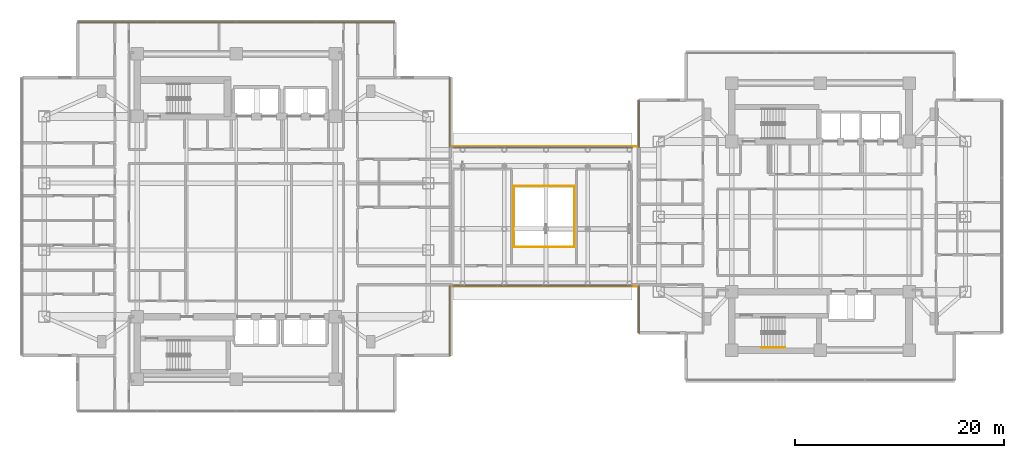
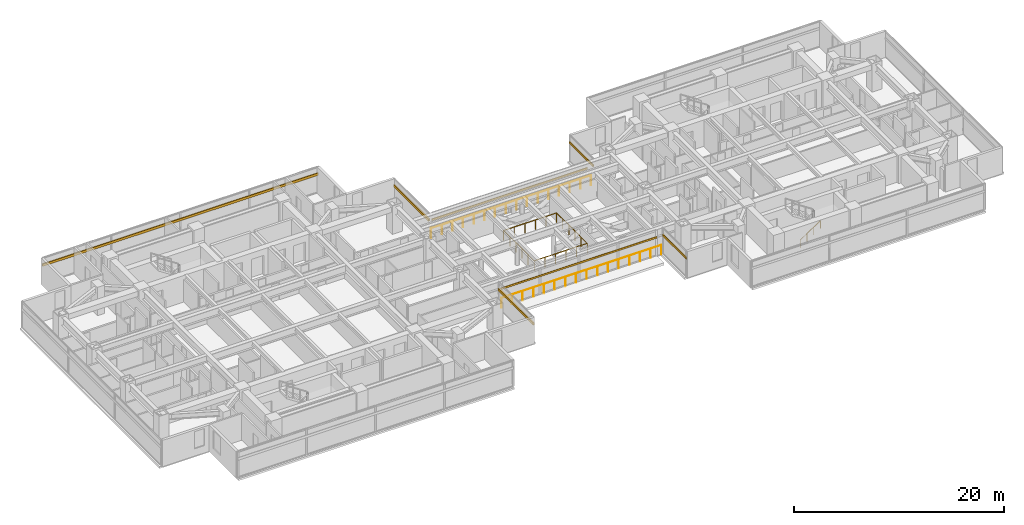
# One storey, part 25 of 28: 7 railings, 7 shading devices.
"""IFC4 building model written with IfcOpenShell, lengths in metres."""

from ifc_helpers import new_model, si_unit, direction, frame, origin, origin_2d, place, context, subcontext, project, spatial, rectangle, circle, extrude, material, material_profile, profile_set, type_object, element, save


model = new_model("IFC4")

# Units and contexts
model_context = context("Model", 3, precision=1e-05, world=origin(), true_north=direction((0.0, 1.0)))
body_context = subcontext(model_context, "Body", "Model", "MODEL_VIEW")
ifc_project = project(units=[si_unit("LENGTHUNIT", "METRE"), si_unit("AREAUNIT", "SQUARE_METRE"), si_unit("VOLUMEUNIT", "CUBIC_METRE"), si_unit("PLANEANGLEUNIT", "RADIAN"), si_unit("MASSUNIT", "GRAM", prefix="KILO")], contexts=[model_context])

# Site, building, storey
site_placement = place(None, origin())
site = spatial("IfcSite", under=ifc_project, at=site_placement, CompositionType="ELEMENT")
building_placement = place(site_placement, origin())
building = spatial("IfcBuilding", under=site, at=building_placement, Name="Mirazonda Arch Towers", CompositionType="ELEMENT")
storey_placement = place(building_placement, frame((0.0, 0.0, 91.699951171875)))
storey = spatial("IfcBuildingStorey", under=building, at=storey_placement, Name="L25", CompositionType="ELEMENT", Elevation=91.699951171875)

# Shading devices
ifc_material_1 = material(Name="Kiln-Fired Architectural Terracotta", Category="masonry")
ifc_material_profile_1 = material_profile(ifc_material_1, rectangle(XDim=0.1201171875, YDim=0.239990234375, at=origin_2d()), Name="TERRA-BAG-120x240")
ifc_profile_set_1 = profile_set([ifc_material_profile_1], Name="Kiln-Fired Architectural Terracotta")
shading_device_type_1 = type_object("IfcShadingDeviceType", Name="BAGUETTE-1", PredefinedType="USERDEFINED", material=ifc_profile_set_1)
for number, where, z_axis, x_axis, name in (
    (1, (59.119384765625, 39.16455078125, 2.203369140625), (0.0, -1.0, 0.0), (1.0, 0.0, 0.0), "L25 Glazed Terracotta Sun-Screen Baguette CW-L25-T2-W1"),
    (2, (59.119384765625, 21.360107421875, 2.203369140625), (0.0, -1.0, 0.0), (1.0, 0.0, 0.0), "L25 Glazed Terracotta Sun-Screen Baguette CW-L25-T2-W2"),
):
    element("IfcShadingDevice", number, at=place(storey_placement, frame(where, z_axis=z_axis, x_axis=x_axis)), inside=storey, type_object=shading_device_type_1, Name=name, ObjectType="BAGUETTE", PredefinedType="USERDEFINED", context=body_context, shape_type="SweptSolid", body=[
        extrude(rectangle(XDim=0.1201171875, YDim=0.239990234375, at=origin_2d()), origin(), (0.0, 0.0, 1.0), 4.524658203125),
    ])
ifc_material_profile_2 = material_profile(ifc_material_1, rectangle(XDim=0.10009765625, YDim=0.199951171875, at=origin_2d()), Name="TERRA-BAG-100x200")
ifc_profile_set_2 = profile_set([ifc_material_profile_2], Name="Kiln-Fired Architectural Terracotta")
shading_device_type_2 = type_object("IfcShadingDeviceType", Name="BAGUETTE-2", PredefinedType="USERDEFINED", material=ifc_profile_set_2)
for number, where, z_axis, x_axis, name in (
    (3, (58.449462890625, 21.3798828125, 2.16015625), (-1.0, 0.0, 0.0), (0.0, -1.0, 0.0), "L25 Glazed Terracotta Sun-Screen Baguette CW-L25-BRG-S"),
    (4, (41.27001953125, 34.6201171875, 2.16015625), (1.0, 0.0, 0.0), (0.0, 1.0, 0.0), "L25 Glazed Terracotta Sun-Screen Baguette CW-L25-BRG-N"),
):
    element("IfcShadingDevice", number, at=place(storey_placement, frame(where, z_axis=z_axis, x_axis=x_axis)), inside=storey, type_object=shading_device_type_2, Name=name, ObjectType="BAGUETTE", PredefinedType="USERDEFINED", context=body_context, shape_type="SweptSolid", body=[
        extrude(rectangle(XDim=0.10009765625, YDim=0.199951171875, at=origin_2d()), origin(), (0.0, 0.0, 1.0), 17.179443359375),
    ])
ifc_material_profile_3 = material_profile(ifc_material_1, rectangle(XDim=0.139892578125, YDim=0.280029296875, at=origin_2d()), Name="TERRA-BAG-140x280")
ifc_profile_set_3 = profile_set([ifc_material_profile_3], Name="Kiln-Fired Architectural Terracotta")
shading_device_type_3 = type_object("IfcShadingDeviceType", Name="BAGUETTE-3", PredefinedType="USERDEFINED", material=ifc_profile_set_3)
for number, where, z_axis, x_axis, name in (
    (5, (41.010009765625, 14.677001953125, 2.203369140625), (0.0, 1.0, 0.0), (-1.0, 0.0, 0.0), "L25 Glazed Terracotta Sun-Screen Baguette CW-L25-T1-E1"),
    (6, (41.010009765625, 34.639892578125, 2.203369140625), (0.0, 1.0, 0.0), (-1.0, 0.0, 0.0), "L25 Glazed Terracotta Sun-Screen Baguette CW-L25-T1-E2"),
):
    element("IfcShadingDevice", number, at=place(storey_placement, frame(where, z_axis=z_axis, x_axis=x_axis)), inside=storey, type_object=shading_device_type_3, Name=name, ObjectType="BAGUETTE", PredefinedType="USERDEFINED", context=body_context, shape_type="SweptSolid", body=[
        extrude(rectangle(XDim=0.139892578125, YDim=0.280029296875, at=origin_2d()), origin(), (0.0, 0.0, 1.0), 6.68310546875),
    ])
shading_device_placement = place(storey_placement, frame((5.294921875, 46.6279296875, 2.203369140625), z_axis=(1.0, 0.0, 0.0), x_axis=(0.0, 1.0, 0.0)))
element("IfcShadingDevice", 7, at=shading_device_placement, inside=storey, type_object=shading_device_type_3, Name="L25 Glazed Terracotta Sun-Screen Baguette CW-L25-T1-N", ObjectType="BAGUETTE", PredefinedType="USERDEFINED", context=body_context, shape_type="SweptSolid", body=[
    extrude(rectangle(XDim=0.139892578125, YDim=0.280029296875, at=origin_2d()), origin(), (0.0, 0.0, 1.0), 30.41015625),
])

# Railings
ifc_material_2 = material(Name="Insulated Low-E Solar Glass", Category="glass")
railing_type_1 = type_object("IfcRailingType", Name="BALUSTRADE-ATRIUM-1150", PredefinedType="BALUSTRADE", material=ifc_material_2)
railing_1_placement = place(storey_placement, frame((47.080078125, 25.080078125, 0.0)))
element("IfcRailing", 8, at=railing_1_placement, inside=storey, type_object=railing_type_1, Name="L25 L25 Skybridge Atrium Void Balustrade 01", PredefinedType="BALUSTRADE", context=body_context, shape_type="SweptSolid", body=[
    extrude(circle(Radius=0.02392578125, at=origin_2d()), frame((0.0, 0.0, 1.1259765625), z_axis=(1.0, 0.0, 0.0), x_axis=(0.0, 1.0, 0.0)), (0.0, 0.0, 1.0), 5.83984375),
    extrude(circle(Radius=0.02099609375, at=origin_2d()), origin(), (0.0, 0.0, 1.0), 1.101806640625),
    extrude(circle(Radius=0.02099609375, at=origin_2d()), frame((1.16796875, 0.0, 0.0)), (0.0, 0.0, 1.0), 1.101806640625),
    extrude(circle(Radius=0.02099609375, at=origin_2d()), frame((2.3359375, 0.0, 0.0)), (0.0, 0.0, 1.0), 1.101806640625),
    extrude(circle(Radius=0.02099609375, at=origin_2d()), frame((3.50390625, 0.0, 0.0)), (0.0, 0.0, 1.0), 1.101806640625),
    extrude(circle(Radius=0.02099609375, at=origin_2d()), frame((4.671875, 0.0, 0.0)), (0.0, 0.0, 1.0), 1.101806640625),
    extrude(circle(Radius=0.02099609375, at=origin_2d()), frame((5.83984375, 0.0, 0.0)), (0.0, 0.0, 1.0), 1.101806640625),
])
railing_2_placement = place(storey_placement, frame((52.919921875, 25.080078125, 0.0)))
element("IfcRailing", 9, at=railing_2_placement, inside=storey, type_object=railing_type_1, Name="L25 L25 Skybridge Atrium Void Balustrade 02", PredefinedType="BALUSTRADE", context=body_context, shape_type="SweptSolid", body=[
    extrude(circle(Radius=0.02392578125, at=origin_2d()), frame((0.0, 0.0, 1.1259765625), z_axis=(0.0, 1.0, 0.0), x_axis=(-1.0, 0.0, 0.0)), (0.0, 0.0, 1.0), 5.83984375),
    extrude(circle(Radius=0.02099609375, at=origin_2d()), origin(), (0.0, 0.0, 1.0), 1.101806640625),
    extrude(circle(Radius=0.02099609375, at=origin_2d()), frame((0.0, 1.16796875, 0.0)), (0.0, 0.0, 1.0), 1.101806640625),
    extrude(circle(Radius=0.02099609375, at=origin_2d()), frame((0.0, 2.3359375, 0.0)), (0.0, 0.0, 1.0), 1.101806640625),
    extrude(circle(Radius=0.02099609375, at=origin_2d()), frame((0.0, 3.50390625, 0.0)), (0.0, 0.0, 1.0), 1.101806640625),
    extrude(circle(Radius=0.02099609375, at=origin_2d()), frame((0.0, 4.671875, 0.0)), (0.0, 0.0, 1.0), 1.101806640625),
    extrude(circle(Radius=0.02099609375, at=origin_2d()), frame((0.0, 5.83984375, 0.0)), (0.0, 0.0, 1.0), 1.101806640625),
])
railing_3_placement = place(storey_placement, frame((52.919921875, 30.919921875, 0.0)))
element("IfcRailing", 10, at=railing_3_placement, inside=storey, type_object=railing_type_1, Name="L25 L25 Skybridge Atrium Void Balustrade 03", PredefinedType="BALUSTRADE", context=body_context, shape_type="SweptSolid", body=[
    extrude(circle(Radius=0.02392578125, at=origin_2d()), frame((0.0, 0.0, 1.1259765625), z_axis=(-1.0, 0.0, 0.0), x_axis=(0.0, -1.0, 0.0)), (0.0, 0.0, 1.0), 5.83984375),
    extrude(circle(Radius=0.02099609375, at=origin_2d()), origin(), (0.0, 0.0, 1.0), 1.101806640625),
    extrude(circle(Radius=0.02099609375, at=origin_2d()), frame((-1.16796875, 0.0, 0.0)), (0.0, 0.0, 1.0), 1.101806640625),
    extrude(circle(Radius=0.02099609375, at=origin_2d()), frame((-2.3359375, 0.0, 0.0)), (0.0, 0.0, 1.0), 1.101806640625),
    extrude(circle(Radius=0.02099609375, at=origin_2d()), frame((-3.50390625, 0.0, 0.0)), (0.0, 0.0, 1.0), 1.101806640625),
    extrude(circle(Radius=0.02099609375, at=origin_2d()), frame((-4.671875, 0.0, 0.0)), (0.0, 0.0, 1.0), 1.101806640625),
    extrude(circle(Radius=0.02099609375, at=origin_2d()), frame((-5.83984375, 0.0, 0.0)), (0.0, 0.0, 1.0), 1.101806640625),
])
railing_4_placement = place(storey_placement, frame((47.080078125, 30.919921875, 0.0)))
element("IfcRailing", 11, at=railing_4_placement, inside=storey, type_object=railing_type_1, Name="L25 L25 Skybridge Atrium Void Balustrade 04", PredefinedType="BALUSTRADE", context=body_context, shape_type="SweptSolid", body=[
    extrude(circle(Radius=0.02392578125, at=origin_2d()), frame((0.0, 0.0, 1.1259765625), z_axis=(0.0, -1.0, 0.0), x_axis=(1.0, 0.0, 0.0)), (0.0, 0.0, 1.0), 5.83984375),
    extrude(circle(Radius=0.02099609375, at=origin_2d()), origin(), (0.0, 0.0, 1.0), 1.101806640625),
    extrude(circle(Radius=0.02099609375, at=origin_2d()), frame((0.0, -1.16796875, 0.0)), (0.0, 0.0, 1.0), 1.101806640625),
    extrude(circle(Radius=0.02099609375, at=origin_2d()), frame((0.0, -2.3359375, 0.0)), (0.0, 0.0, 1.0), 1.101806640625),
    extrude(circle(Radius=0.02099609375, at=origin_2d()), frame((0.0, -3.50390625, 0.0)), (0.0, 0.0, 1.0), 1.101806640625),
    extrude(circle(Radius=0.02099609375, at=origin_2d()), frame((0.0, -4.671875, 0.0)), (0.0, 0.0, 1.0), 1.101806640625),
    extrude(circle(Radius=0.02099609375, at=origin_2d()), frame((0.0, -5.83984375, 0.0)), (0.0, 0.0, 1.0), 1.101806640625),
])
ifc_material_3 = material(Name="Architectural Brushed Steel S355", Category="steel")
railing_type_2 = type_object("IfcRailingType", Name="GUARD-EXT-1150", PredefinedType="GUARDRAIL", material=ifc_material_3)
railing_5_placement = place(storey_placement, frame((41.27001953125, 21.300048828125, 0.0)))
element("IfcRailing", 12, at=railing_5_placement, inside=storey, type_object=railing_type_2, Name="L25 Skybridge South Edge Guard 01", PredefinedType="GUARDRAIL", context=body_context, shape_type="SweptSolid", body=[
    extrude(circle(Radius=0.02392578125, at=origin_2d()), frame((0.0, 0.0, 1.1259765625), z_axis=(1.0, 0.0, 0.0), x_axis=(0.0, 1.0, 0.0)), (0.0, 0.0, 1.0), 17.62939453125),
    extrude(circle(Radius=0.02099609375, at=origin_2d()), origin(), (0.0, 0.0, 1.0), 1.101806640625),
    extrude(circle(Radius=0.02099609375, at=origin_2d()), frame((1.17529296875, 0.0, 0.0)), (0.0, 0.0, 1.0), 1.101806640625),
    extrude(circle(Radius=0.02099609375, at=origin_2d()), frame((2.3505859375, 0.0, 0.0)), (0.0, 0.0, 1.0), 1.101806640625),
    extrude(circle(Radius=0.02099609375, at=origin_2d()), frame((3.52587890625, 0.0, 0.0)), (0.0, 0.0, 1.0), 1.101806640625),
    extrude(circle(Radius=0.02099609375, at=origin_2d()), frame((4.701171875, 0.0, 0.0)), (0.0, 0.0, 1.0), 1.101806640625),
    extrude(circle(Radius=0.02099609375, at=origin_2d()), frame((5.87646484375, 0.0, 0.0)), (0.0, 0.0, 1.0), 1.101806640625),
    extrude(circle(Radius=0.02099609375, at=origin_2d()), frame((7.0517578125, 0.0, 0.0)), (0.0, 0.0, 1.0), 1.101806640625),
    extrude(circle(Radius=0.02099609375, at=origin_2d()), frame((8.22705078125, 0.0, 0.0)), (0.0, 0.0, 1.0), 1.101806640625),
    extrude(circle(Radius=0.02099609375, at=origin_2d()), frame((9.40234375, 0.0, 0.0)), (0.0, 0.0, 1.0), 1.101806640625),
    extrude(circle(Radius=0.02099609375, at=origin_2d()), frame((10.57763671875, 0.0, 0.0)), (0.0, 0.0, 1.0), 1.101806640625),
    extrude(circle(Radius=0.02099609375, at=origin_2d()), frame((11.7529296875, 0.0, 0.0)), (0.0, 0.0, 1.0), 1.101806640625),
    extrude(circle(Radius=0.02099609375, at=origin_2d()), frame((12.92822265625, 0.0, 0.0)), (0.0, 0.0, 1.0), 1.101806640625),
    extrude(circle(Radius=0.02099609375, at=origin_2d()), frame((14.103515625, 0.0, 0.0)), (0.0, 0.0, 1.0), 1.101806640625),
    extrude(circle(Radius=0.02099609375, at=origin_2d()), frame((15.27880859375, 0.0, 0.0)), (0.0, 0.0, 1.0), 1.101806640625),
    extrude(circle(Radius=0.02099609375, at=origin_2d()), frame((16.4541015625, 0.0, 0.0)), (0.0, 0.0, 1.0), 1.101806640625),
    extrude(circle(Radius=0.02099609375, at=origin_2d()), frame((17.62939453125, 0.0, 0.0)), (0.0, 0.0, 1.0), 1.101806640625),
])
railing_6_placement = place(storey_placement, frame((41.27001953125, 34.699951171875, 0.0)))
element("IfcRailing", 13, at=railing_6_placement, inside=storey, type_object=railing_type_2, Name="L25 Skybridge North Edge Guard 01", PredefinedType="GUARDRAIL", context=body_context, shape_type="SweptSolid", body=[
    extrude(circle(Radius=0.02392578125, at=origin_2d()), frame((0.0, 0.0, 1.1259765625), z_axis=(1.0, 0.0, 0.0), x_axis=(0.0, 1.0, 0.0)), (0.0, 0.0, 1.0), 17.62939453125),
    extrude(circle(Radius=0.02099609375, at=origin_2d()), origin(), (0.0, 0.0, 1.0), 1.101806640625),
    extrude(circle(Radius=0.02099609375, at=origin_2d()), frame((1.17529296875, 0.0, 0.0)), (0.0, 0.0, 1.0), 1.101806640625),
    extrude(circle(Radius=0.02099609375, at=origin_2d()), frame((2.3505859375, 0.0, 0.0)), (0.0, 0.0, 1.0), 1.101806640625),
    extrude(circle(Radius=0.02099609375, at=origin_2d()), frame((3.52587890625, 0.0, 0.0)), (0.0, 0.0, 1.0), 1.101806640625),
    extrude(circle(Radius=0.02099609375, at=origin_2d()), frame((4.701171875, 0.0, 0.0)), (0.0, 0.0, 1.0), 1.101806640625),
    extrude(circle(Radius=0.02099609375, at=origin_2d()), frame((5.87646484375, 0.0, 0.0)), (0.0, 0.0, 1.0), 1.101806640625),
    extrude(circle(Radius=0.02099609375, at=origin_2d()), frame((7.0517578125, 0.0, 0.0)), (0.0, 0.0, 1.0), 1.101806640625),
    extrude(circle(Radius=0.02099609375, at=origin_2d()), frame((8.22705078125, 0.0, 0.0)), (0.0, 0.0, 1.0), 1.101806640625),
    extrude(circle(Radius=0.02099609375, at=origin_2d()), frame((9.40234375, 0.0, 0.0)), (0.0, 0.0, 1.0), 1.101806640625),
    extrude(circle(Radius=0.02099609375, at=origin_2d()), frame((10.57763671875, 0.0, 0.0)), (0.0, 0.0, 1.0), 1.101806640625),
    extrude(circle(Radius=0.02099609375, at=origin_2d()), frame((11.7529296875, 0.0, 0.0)), (0.0, 0.0, 1.0), 1.101806640625),
    extrude(circle(Radius=0.02099609375, at=origin_2d()), frame((12.92822265625, 0.0, 0.0)), (0.0, 0.0, 1.0), 1.101806640625),
    extrude(circle(Radius=0.02099609375, at=origin_2d()), frame((14.103515625, 0.0, 0.0)), (0.0, 0.0, 1.0), 1.101806640625),
    extrude(circle(Radius=0.02099609375, at=origin_2d()), frame((15.27880859375, 0.0, 0.0)), (0.0, 0.0, 1.0), 1.101806640625),
    extrude(circle(Radius=0.02099609375, at=origin_2d()), frame((16.4541015625, 0.0, 0.0)), (0.0, 0.0, 1.0), 1.101806640625),
    extrude(circle(Radius=0.02099609375, at=origin_2d()), frame((17.62939453125, 0.0, 0.0)), (0.0, 0.0, 1.0), 1.101806640625),
])
railing_type_3 = type_object("IfcRailingType", Name="HANDRAIL-915", PredefinedType="HANDRAIL", material=ifc_material_3)
railing_7_placement = place(storey_placement, frame((70.85009765625, 15.469970703125, 0.183349609375)))
element("IfcRailing", 14, at=railing_7_placement, inside=storey, type_object=railing_type_3, Name="L25 ST-T2S stair handrail 1", PredefinedType="HANDRAIL", context=body_context, shape_type="SweptSolid", body=[
    extrude(circle(Radius=0.02392578125, at=origin_2d()), frame((0.0, 0.0, 0.8759765625), z_axis=(0.836595146698, 0.0, 0.547821650285), x_axis=(0.0, 1.0, 0.0)), (0.0, 0.0, 1.0), 2.677490234375),
    extrude(circle(Radius=0.02099609375, at=origin_2d()), origin(), (0.0, 0.0, 1.0), 0.851806640625),
    extrude(circle(Radius=0.02099609375, at=origin_2d()), frame((0.74658203125, 0.0, 0.489013671875)), (0.0, 0.0, 1.0), 0.851806640625),
    extrude(circle(Radius=0.02099609375, at=origin_2d()), frame((1.493408203125, 0.0, 0.977783203125)), (0.0, 0.0, 1.0), 0.851806640625),
    extrude(circle(Radius=0.02099609375, at=origin_2d()), frame((2.239990234375, 0.0, 1.466796875)), (0.0, 0.0, 1.0), 0.851806640625),
])

save(model, "model.ifc")
